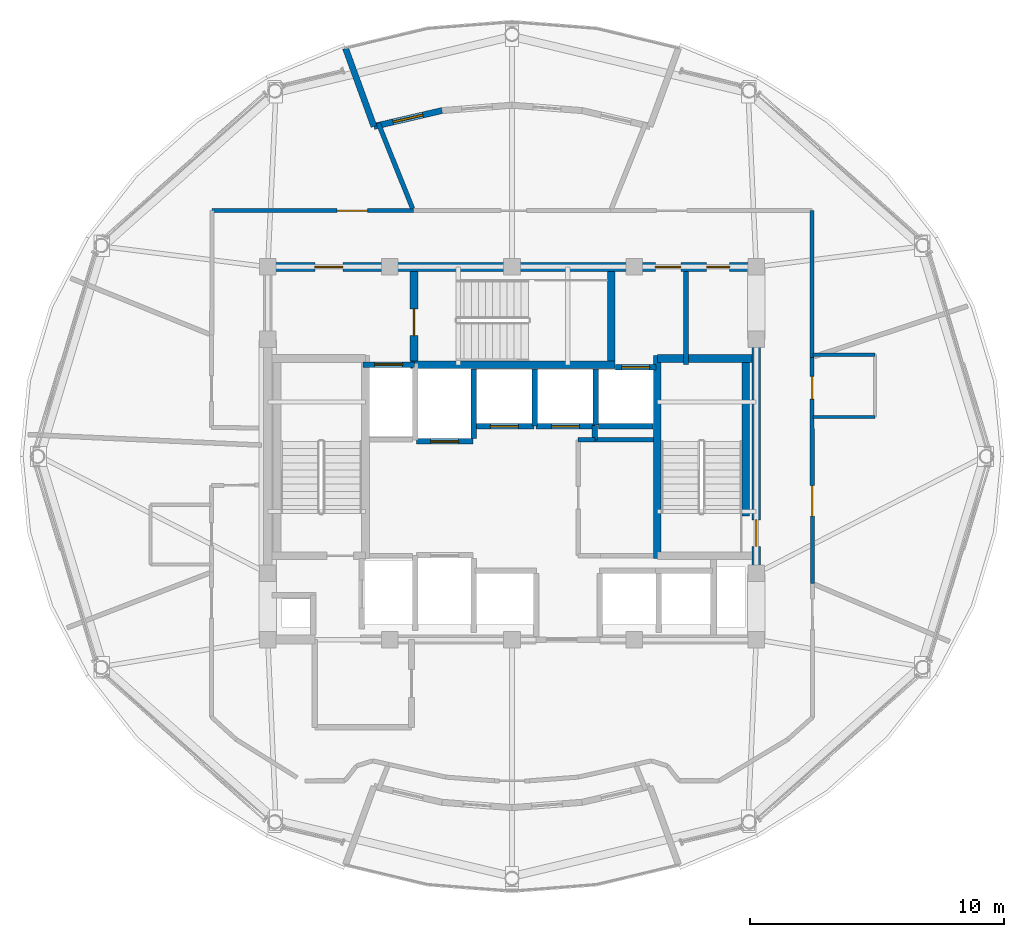
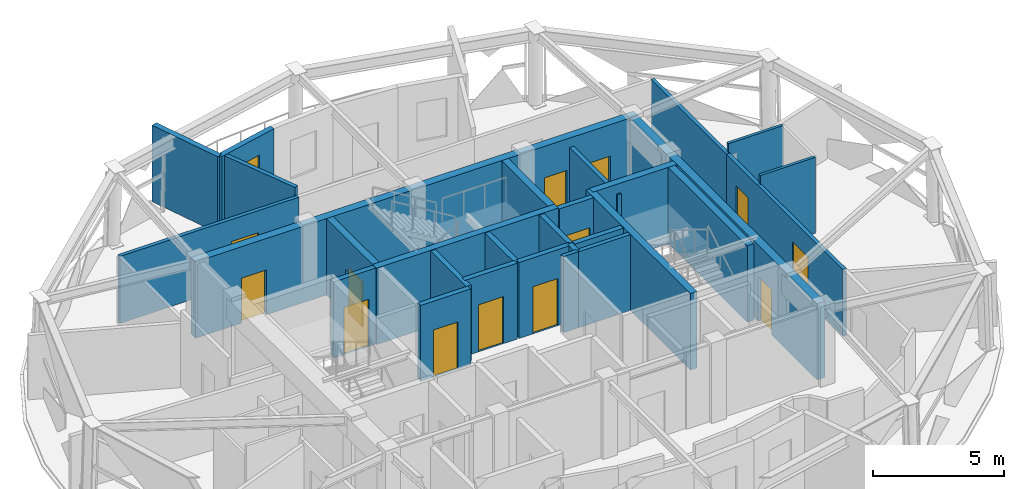
# One storey, part 8 of 13: 29 walls, 13 doors, 1 window, 14 openings.
"""IFC4 building model written with IfcOpenShell, lengths in metres."""

from ifc_helpers import new_model, si_unit, direction, frame, frame_2d, origin, place, context, subcontext, project, spatial, rectangle, extrude, material, layer, layer_set, type_object, element, fill, save


model = new_model("IFC4")

# Units and contexts
model_context = context("Model", 3, precision=1e-05, world=origin(), true_north=direction((0.0, 1.0)))
body_context = subcontext(model_context, "Body", "Model", "MODEL_VIEW")
ifc_project = project(units=[si_unit("LENGTHUNIT", "METRE"), si_unit("AREAUNIT", "SQUARE_METRE"), si_unit("VOLUMEUNIT", "CUBIC_METRE"), si_unit("PLANEANGLEUNIT", "RADIAN"), si_unit("MASSUNIT", "GRAM", prefix="KILO")], contexts=[model_context])

# Site, building, storey
site_placement = place(None, origin())
site = spatial("IfcSite", under=ifc_project, at=site_placement, CompositionType="ELEMENT")
building_placement = place(site_placement, origin())
building = spatial("IfcBuilding", under=site, at=building_placement, Name="Vantalir Tower", CompositionType="ELEMENT")
storey_placement = place(building_placement, frame((0.0, 0.0, 286.35009765625)))
storey = spatial("IfcBuildingStorey", under=building, at=storey_placement, Name="L72", CompositionType="ELEMENT", Elevation=286.35009765625)

# Walls
ifc_material_1 = material(Name="Moisture-resistant en-suite partition", Category="gypsum")
ifc_layer_1 = layer(ifc_material_1, 0.125)
ifc_layer_set_1 = layer_set([ifc_layer_1], Name="Moisture-resistant en-suite partition")
wall_type_1 = type_object("IfcWallType", Name="WL-BATH-125", PredefinedType="PARTITIONING", material=ifc_layer_set_1)
for number, where, z_axis, x_axis, name in (
    (1, (43.3349609375, 26.550048828125, 0.0), (0.0, 0.0, 1.0), (1.0, 0.0, 0.0), "L72 Accessible WC South Wall"),
    (2, (43.3349609375, 29.0, 0.0), (0.0, 0.0, 1.0), (1.0, 0.0, 0.0), "L72 Accessible WC North Wall"),
):
    element("IfcWall", number, at=place(storey_placement, frame(where, z_axis=z_axis, x_axis=x_axis)), inside=storey, type_object=wall_type_1, Name=name, PredefinedType="PARTITIONING", context=body_context, shape_type="SweptSolid", body=[
        extrude(rectangle(XDim=2.429931640625, YDim=0.125, at=frame_2d((1.21484375, 0.0))), origin(), (0.0, 0.0, 1.0), 3.5498046875),
    ])

# Wall, openings, doors
ifc_material_2 = material(Name="Concrete C50/60", Category="concrete")
ifc_layer_2 = layer(ifc_material_2, 0.35009765625)
ifc_layer_set_2 = layer_set([ifc_layer_2], Name="Concrete C50/60")
wall_type_2 = type_object("IfcWallType", Name="WL-CORE-350", PredefinedType="SHEAR", material=ifc_layer_set_2)
wall_1_placement = place(storey_placement, frame((21.72509765625, 32.449951171875, 0.0), z_axis=(0.0, 0.0, 1.0), x_axis=(1.0, 0.0, 0.0)))
wall_1 = element("IfcWall", 3, at=wall_1_placement, inside=storey, type_object=wall_type_2, Name="L72 Core Shear Wall North", PredefinedType="SHEAR", context=body_context, shape_type="SweptSolid", body=[
    extrude(rectangle(XDim=19.5498046875, YDim=0.35009765625, at=frame_2d((9.77490234375, 0.0))), origin(), (0.0, 0.0, 1.0), 3.56982421875),
])
opening_1_placement = place(wall_1_placement, frame((2.02490234375, 0.0, 0.0)))
opening_1 = element("IfcOpeningElement", 4, at=opening_1_placement, cuts=wall_1, Name="Opening D-FFL", PredefinedType="OPENING", context=body_context, shape_type="SweptSolid", body=[
    extrude(rectangle(XDim=1.10009765625, YDim=2.10009765625, at=frame_2d((0.550048828125, 1.050048828125))), frame((0.0, 0.18505859375, 0.0), z_axis=(0.0, -1.0, 0.0), x_axis=(1.0, 0.0, 0.0)), (0.0, 0.0, 1.0), 0.3701171875),
])
opening_2_placement = place(wall_1_placement, frame((15.4150390625, 0.0, 0.0)))
opening_2 = element("IfcOpeningElement", 5, at=opening_2_placement, cuts=wall_1, Name="Opening D-GUEST", PredefinedType="OPENING", context=body_context, shape_type="SweptSolid", body=[
    extrude(rectangle(XDim=1.0, YDim=2.10009765625, at=frame_2d((0.5, 1.050048828125))), frame((0.0, 0.18505859375, 0.0), z_axis=(0.0, -1.0, 0.0), x_axis=(1.0, 0.0, 0.0)), (0.0, 0.0, 1.0), 0.3701171875),
])
opening_3_placement = place(wall_1_placement, frame((17.425048828125, 0.0, 0.0)))
opening_3 = element("IfcOpeningElement", 6, at=opening_3_placement, cuts=wall_1, Name="Opening D-CR", PredefinedType="OPENING", context=body_context, shape_type="SweptSolid", body=[
    extrude(rectangle(XDim=0.89990234375, YDim=2.10009765625, at=frame_2d((0.449951171875, 1.050048828125))), frame((0.0, 0.18505859375, 0.0), z_axis=(0.0, -1.0, 0.0), x_axis=(1.0, 0.0, 0.0)), (0.0, 0.0, 1.0), 0.3701171875),
])
ifc_material_3 = material(Name="Fire-rated steel core service door", Category="steel")
door_type_1 = type_object("IfcDoorType", Name="DR-CORE-SERV-900", OperationType="NOTDEFINED", PredefinedType="DOOR", material=ifc_material_3)
door_1_placement = place(opening_3_placement, frame((0.89990234375, 0.0, 0.0), z_axis=(0.0, 0.0, 1.0), x_axis=(-1.0, 0.0, 0.0)))
door_1 = element("IfcDoor", 7, at=door_1_placement, inside=storey, type_object=door_type_1, Name="L72 Housekeeping and Linen Room Door", OperationType="SINGLE_SWING_RIGHT", OverallHeight=2.10009765625, OverallWidth=0.89990234375, PredefinedType="DOOR", context=body_context, shape_type="SweptSolid", body=[
    extrude(rectangle(XDim=0.89990234375, YDim=2.10009765625, at=frame_2d((0.449951171875, 1.050048828125))), frame((0.0, 0.02490234375, 0.0), z_axis=(0.0, -1.0, 0.0), x_axis=(1.0, 0.0, 0.0)), (0.0, 0.0, 1.0), 0.050048828125),
])
fill(opening_3, door_1)
ifc_material_4 = material(Name="Fire-rated acoustic steel door", Category="steel")
door_type_2 = type_object("IfcDoorType", Name="DR-FIRE-LOBBY-1100", OperationType="NOTDEFINED", PredefinedType="DOOR", material=ifc_material_4)
door_2_placement = place(opening_1_placement, frame((1.10009765625, 0.0, 0.0), z_axis=(0.0, 0.0, 1.0), x_axis=(-1.0, 0.0, 0.0)))
door_2 = element("IfcDoor", 8, at=door_2_placement, inside=storey, type_object=door_type_2, Name="L72 Firefighting Lobby East Access Door", OperationType="SINGLE_SWING_RIGHT", OverallHeight=2.10009765625, OverallWidth=1.10009765625, PredefinedType="DOOR", context=body_context, shape_type="SweptSolid", body=[
    extrude(rectangle(XDim=1.10009765625, YDim=2.10009765625, at=frame_2d((0.550048828125, 1.050048828125))), frame((0.0, 0.02490234375, 0.0), z_axis=(0.0, -1.0, 0.0), x_axis=(1.0, 0.0, 0.0)), (0.0, 0.0, 1.0), 0.050048828125),
])
fill(opening_1, door_2)
ifc_material_5 = material(Name="Solid-core teak veneer acoustic fire door", Category="wood")
door_type_3 = type_object("IfcDoorType", Name="DR-GUEST-ENTRY-1000", OperationType="NOTDEFINED", PredefinedType="DOOR", material=ifc_material_5)
door_3_placement = place(opening_2_placement, frame((1.0, 0.0, 0.0), z_axis=(0.0, 0.0, 1.0), x_axis=(-1.0, 0.0, 0.0)))
door_3 = element("IfcDoor", 9, at=door_3_placement, inside=storey, type_object=door_type_3, Name="L72 High-Rise Lift Lobby Door", OperationType="SINGLE_SWING_LEFT", OverallHeight=2.10009765625, OverallWidth=1.0, PredefinedType="DOOR", context=body_context, shape_type="SweptSolid", body=[
    extrude(rectangle(XDim=1.0, YDim=2.10009765625, at=frame_2d((0.5, 1.050048828125))), frame((0.0, 0.02490234375, 0.0), z_axis=(0.0, -1.0, 0.0), x_axis=(1.0, 0.0, 0.0)), (0.0, 0.0, 1.0), 0.050048828125),
])
fill(opening_2, door_3)

# Wall, opening, door
wall_2_placement = place(storey_placement, frame((41.10009765625, 17.97509765625, 0.0), z_axis=(0.0, 0.0, 1.0), x_axis=(0.0, 1.0, 0.0)))
wall_2 = element("IfcWall", 10, at=wall_2_placement, inside=storey, type_object=wall_type_2, Name="L72 Core Shear Wall East", PredefinedType="SHEAR", context=body_context, shape_type="SweptSolid", body=[
    extrude(rectangle(XDim=14.2998046875, YDim=0.35009765625, at=frame_2d((7.14990234375, 0.0))), origin(), (0.0, 0.0, 1.0), 3.56982421875),
])
opening_4_placement = place(wall_2_placement, frame((3.485107421875, 0.0, 0.0)))
opening_4 = element("IfcOpeningElement", 11, at=opening_4_placement, cuts=wall_2, Name="Opening D-ST", PredefinedType="OPENING", context=body_context, shape_type="SweptSolid", body=[
    extrude(rectangle(XDim=1.050048828125, YDim=2.10009765625, at=frame_2d((0.52490234375, 1.050048828125))), frame((0.0, 0.18505859375, 0.0), z_axis=(0.0, -1.0, 0.0), x_axis=(1.0, 0.0, 0.0)), (0.0, 0.0, 1.0), 0.3701171875),
])
ifc_material_6 = material(Name="Fire-rated steel door leaf", Category="steel")
door_type_4 = type_object("IfcDoorType", Name="DR-FIRE-STAIR-1050", OperationType="NOTDEFINED", PredefinedType="DOOR", material=ifc_material_6)
door_4_placement = place(opening_4_placement, origin())
door_4 = element("IfcDoor", 12, at=door_4_placement, inside=storey, type_object=door_type_4, Name="L72 Exit Stair ST2 Fire Door", OperationType="SINGLE_SWING_LEFT", OverallHeight=2.10009765625, OverallWidth=1.050048828125, PredefinedType="DOOR", context=body_context, shape_type="SweptSolid", body=[
    extrude(rectangle(XDim=1.050048828125, YDim=2.10009765625, at=frame_2d((0.52490234375, 1.050048828125))), frame((0.0, 0.02490234375, 0.0), z_axis=(0.0, -1.0, 0.0), x_axis=(1.0, 0.0, 0.0)), (0.0, 0.0, 1.0), 0.050048828125),
])
fill(opening_4, door_4)

ifc_material_7 = material(Name="Fire-rated hotel corridor acoustic partition", Category="gypsum")
ifc_layer_3 = layer(ifc_material_7, 0.159912109375)
ifc_layer_set_3 = layer_set([ifc_layer_3], Name="Fire-rated hotel corridor acoustic partition")
wall_type_3 = type_object("IfcWallType", Name="WL-CORR-160", PredefinedType="PARTITIONING", material=ifc_layer_set_3)
wall_3_placement = place(storey_placement, frame((19.7099609375, 34.662109375, 0.0), z_axis=(0.0, 0.0, 1.0), x_axis=(0.999999988104, -0.000154244816, 0.0)))
wall_3 = element("IfcWall", 13, at=wall_3_placement, inside=storey, type_object=wall_type_3, Name="L72 Corridor Partition 04", PredefinedType="PARTITIONING", context=body_context, shape_type="SweptSolid", body=[
    extrude(rectangle(XDim=7.9140625, YDim=0.159912109375, at=frame_2d((3.95703125, 0.0))), origin(), (0.0, 0.0, 1.0), 3.1318359375),
])
opening_5_placement = place(wall_3_placement, frame((4.91796875, 0.0, 0.0)))
opening_5 = element("IfcOpeningElement", 14, at=opening_5_placement, cuts=wall_3, Name="Opening D-STE", PredefinedType="OPENING", context=body_context, shape_type="SweptSolid", body=[
    extrude(rectangle(XDim=1.199951171875, YDim=2.10009765625, at=frame_2d((0.60009765625, 1.050048828125))), frame((0.0, 0.08984375, 0.0), z_axis=(0.0, -1.0, 0.0), x_axis=(1.0, 0.0, 0.0)), (0.0, 0.0, 1.0), 0.179931640625),
])
ifc_material_8 = material(Name="Solid-core teak veneer suite entrance door", Category="wood")
door_type_5 = type_object("IfcDoorType", Name="DR-SUITE-ENTRY-1200", OperationType="NOTDEFINED", PredefinedType="DOOR", material=ifc_material_8)
door_5_placement = place(opening_5_placement, origin())
door_5 = element("IfcDoor", 15, at=door_5_placement, inside=storey, type_object=door_type_5, Name="L72 Club Reading Lounge 03 Door", OperationType="SINGLE_SWING_RIGHT", OverallHeight=2.10009765625, OverallWidth=1.199951171875, PredefinedType="DOOR", context=body_context, shape_type="SweptSolid", body=[
    extrude(rectangle(XDim=1.199951171875, YDim=2.10009765625, at=frame_2d((0.60009765625, 1.050048828125))), frame((0.0, 0.02490234375, 0.0), z_axis=(0.0, -1.0, 0.0), x_axis=(1.0, 0.0, 0.0)), (0.0, 0.0, 1.0), 0.050048828125),
])
fill(opening_5, door_5)

# Wall
wall_4_placement = place(storey_placement, frame((43.2939453125, 34.659912109375, 0.0), z_axis=(0.0, 0.0, 1.0), x_axis=(0.000889641673, -0.999999604269, 0.0)))
element("IfcWall", 16, at=wall_4_placement, inside=storey, type_object=wall_type_3, Name="L72 Corridor Partition 07", PredefinedType="PARTITIONING", context=body_context, shape_type="SweptSolid", body=[
    extrude(rectangle(XDim=5.762939453125, YDim=0.159912109375, at=frame_2d((2.88134765625, 0.0))), origin(), (0.0, 0.0, 1.0), 3.1318359375),
])

# Wall, openings, doors
wall_5_placement = place(storey_placement, frame((43.299072265625, 28.89697265625, 0.0), z_axis=(0.0, 0.0, 1.0), x_axis=(0.000768765903, -0.999999704499, 0.0)))
wall_5 = element("IfcWall", 17, at=wall_5_placement, inside=storey, type_object=wall_type_3, Name="L72 Corridor Partition 08", PredefinedType="PARTITIONING", context=body_context, shape_type="SweptSolid", body=[
    extrude(rectangle(XDim=8.89208984375, YDim=0.159912109375, at=frame_2d((4.446044921875, 0.0))), origin(), (0.0, 0.0, 1.0), 3.1318359375),
])
opening_6_placement = place(wall_5_placement, frame((0.7451171875, 0.0, 0.0)))
opening_6 = element("IfcOpeningElement", 18, at=opening_6_placement, cuts=wall_5, Name="Opening D-WC", PredefinedType="OPENING", context=body_context, shape_type="SweptSolid", body=[
    extrude(rectangle(XDim=0.89990234375, YDim=2.10009765625, at=frame_2d((0.449951171875, 1.050048828125))), frame((0.0, 0.08984375, 0.0), z_axis=(0.0, -1.0, 0.0), x_axis=(1.0, 0.0, 0.0)), (0.0, 0.0, 1.0), 0.179931640625),
])
opening_7_placement = place(wall_5_placement, frame((5.048095703125, 0.0, 0.0)))
opening_7 = element("IfcOpeningElement", 19, at=opening_7_placement, cuts=wall_5, Name="Opening D-STE", PredefinedType="OPENING", context=body_context, shape_type="SweptSolid", body=[
    extrude(rectangle(XDim=1.199951171875, YDim=2.10009765625, at=frame_2d((0.60009765625, 1.050048828125))), frame((0.0, 0.08984375, 0.0), z_axis=(0.0, -1.0, 0.0), x_axis=(1.0, 0.0, 0.0)), (0.0, 0.0, 1.0), 0.179931640625),
])
ifc_material_9 = material(Name="Moisture-resistant hardwood door", Category="wood")
door_type_6 = type_object("IfcDoorType", Name="DR-ENSUITE-900", OperationType="NOTDEFINED", PredefinedType="DOOR", material=ifc_material_9)
door_6_placement = place(opening_6_placement, frame((0.89990234375, 0.0, 0.0), z_axis=(0.0, 0.0, 1.0), x_axis=(-1.0, 0.0, 0.0)))
door_6 = element("IfcDoor", 20, at=door_6_placement, inside=storey, type_object=door_type_6, Name="L72 Accessible WC Door", OperationType="SINGLE_SWING_RIGHT", OverallHeight=2.10009765625, OverallWidth=0.89990234375, PredefinedType="DOOR", context=body_context, shape_type="SweptSolid", body=[
    extrude(rectangle(XDim=0.89990234375, YDim=2.10009765625, at=frame_2d((0.449951171875, 1.050048828125))), frame((0.0, 0.02490234375, 0.0), z_axis=(0.0, -1.0, 0.0), x_axis=(1.0, 0.0, 0.0)), (0.0, 0.0, 1.0), 0.050048828125),
])
fill(opening_6, door_6)
door_7_placement = place(opening_7_placement, origin())
door_7 = element("IfcDoor", 21, at=door_7_placement, inside=storey, type_object=door_type_5, Name="L72 Club Reading Lounge 09 Door", OperationType="SINGLE_SWING_RIGHT", OverallHeight=2.10009765625, OverallWidth=1.199951171875, PredefinedType="DOOR", context=body_context, shape_type="SweptSolid", body=[
    extrude(rectangle(XDim=1.199951171875, YDim=2.10009765625, at=frame_2d((0.60009765625, 1.050048828125))), frame((0.0, 0.02490234375, 0.0), z_axis=(0.0, -1.0, 0.0), x_axis=(1.0, 0.0, 0.0)), (0.0, 0.0, 1.0), 0.050048828125),
])
fill(opening_7, door_7)

# Wall
ifc_material_10 = material(Name="Precast concrete C40/50 insulated sky-garden wall", Category="concrete")
ifc_layer_4 = layer(ifc_material_10, 0.239990234375)
ifc_layer_set_4 = layer_set([ifc_layer_4], Name="Precast concrete C40/50 insulated sky-garden wall")
wall_type_4 = type_object("IfcWallType", Name="WL-EXT-SG-240", PredefinedType="SOLIDWALL", material=ifc_layer_set_4)
wall_6_placement = place(storey_placement, frame((26.073974609375, 37.972900390625, 0.0), z_axis=(0.0, 0.0, 1.0), x_axis=(-0.342132643751, 0.939651666353, 0.0)))
element("IfcWall", 22, at=wall_6_placement, inside=storey, type_object=wall_type_4, Name="L72 Wind Portal Return NB", PredefinedType="SOLIDWALL", context=body_context, shape_type="SweptSolid", body=[
    extrude(rectangle(XDim=3.270263671875, YDim=0.239990234375, at=frame_2d((1.63525390625, 0.0))), origin(), (0.0, 0.0, 1.0), 3.56982421875),
])

# Wall, opening, window
wall_7_placement = place(storey_placement, frame((28.7451171875, 38.595947265625, 0.0), z_axis=(0.0, 0.0, 1.0), x_axis=(-0.973858933753, -0.227153642166, 0.0)))
wall_7 = element("IfcWall", 23, at=wall_7_placement, inside=storey, type_object=wall_type_4, Name="L72 Wind Portal Lounge Wall N4", PredefinedType="SOLIDWALL", context=body_context, shape_type="SweptSolid", body=[
    extrude(rectangle(XDim=2.742919921875, YDim=0.239990234375, at=frame_2d((1.37158203125, 0.0))), origin(), (0.0, 0.0, 1.0), 3.56982421875),
])
opening_8_placement = place(wall_7_placement, frame((0.77099609375, 0.0, 0.89990234375)))
opening_8 = element("IfcOpeningElement", 24, at=opening_8_placement, cuts=wall_7, Name="Opening WN-4", PredefinedType="OPENING", context=body_context, shape_type="SweptSolid", body=[
    extrude(rectangle(XDim=1.199951171875, YDim=1.800048828125, at=frame_2d((0.60009765625, 0.89990234375))), frame((0.0, 0.1298828125, 0.0), z_axis=(0.0, -1.0, 0.0), x_axis=(1.0, 0.0, 0.0)), (0.0, 0.0, 1.0), 0.260009765625),
])
ifc_material_11 = material(Name="Operable smoke-vent Low-E window", Category="glass")
window_type = type_object("IfcWindowType", Name="WIN-SG-1200x1800", PartitioningType="SINGLE_PANEL", PredefinedType="WINDOW", material=ifc_material_11)
window_placement = place(opening_8_placement, origin())
window = element("IfcWindow", 25, at=window_placement, inside=storey, type_object=window_type, Name="L72 Wind Portal Viewing Window N4", OverallHeight=1.800048828125, OverallWidth=1.199951171875, PartitioningType="SINGLE_PANEL", PredefinedType="WINDOW", context=body_context, shape_type="SweptSolid", body=[
    extrude(rectangle(XDim=1.199951171875, YDim=1.800048828125, at=frame_2d((0.60009765625, 0.89990234375))), frame((0.0, 0.030029296875, 0.0), z_axis=(0.0, -1.0, 0.0), x_axis=(1.0, 0.0, 0.0)), (0.0, 0.0, 1.0), 0.06005859375),
])
fill(opening_8, window)

# Walls
ifc_material_12 = material(Name="Concrete blockwork with fireboard lining", Category="masonry")
ifc_layer_5 = layer(ifc_material_12, 0.219970703125)
ifc_layer_set_5 = layer_set([ifc_layer_5], Name="Concrete blockwork with fireboard lining")
wall_type_5 = type_object("IfcWallType", Name="WL-FFL-220", PredefinedType="PARTITIONING", material=ifc_layer_set_5)
wall_8_placement = place(storey_placement, frame((30.0, 25.7099609375, 0.0), z_axis=(0.0, 0.0, 1.0), x_axis=(0.0, 1.0, 0.0)))
element("IfcWall", 26, at=wall_8_placement, inside=storey, type_object=wall_type_5, Name="L72 Service Lift SV2 East Shaft Wall", PredefinedType="PARTITIONING", context=body_context, shape_type="SweptSolid", body=[
    extrude(rectangle(XDim=2.72998046875, YDim=0.219970703125, at=frame_2d((1.364990234375, 0.0))), origin(), (0.0, 0.0, 1.0), 3.544921875),
])
wall_9_placement = place(storey_placement, frame((32.39990234375, 26.199951171875, 0.0), z_axis=(0.0, 0.0, 1.0), x_axis=(0.0, 1.0, 0.0)))
element("IfcWall", 27, at=wall_9_placement, inside=storey, type_object=wall_type_5, Name="L72 High-Rise Lift PL-H1/H2 Shaft Divider", PredefinedType="PARTITIONING", context=body_context, shape_type="SweptSolid", body=[
    extrude(rectangle(XDim=2.239990234375, YDim=0.219970703125, at=frame_2d((1.1201171875, 0.0))), origin(), (0.0, 0.0, 1.0), 3.544921875),
])
wall_10_placement = place(storey_placement, frame((34.800048828125, 26.22998046875, 0.0), z_axis=(0.0, 0.0, 1.0), x_axis=(0.0, 1.0, 0.0)))
element("IfcWall", 28, at=wall_10_placement, inside=storey, type_object=wall_type_5, Name="L72 High-Rise Lift PL-H2/H3 Shaft Divider", PredefinedType="PARTITIONING", context=body_context, shape_type="SweptSolid", body=[
    extrude(rectangle(XDim=2.2099609375, YDim=0.219970703125, at=frame_2d((1.10498046875, 0.0))), origin(), (0.0, 0.0, 1.0), 3.544921875),
])
wall_11_placement = place(storey_placement, frame((34.909912109375, 26.18994140625, 0.0), z_axis=(0.0, 0.0, 1.0), x_axis=(1.0, 0.0, 0.0)))
element("IfcWall", 29, at=wall_11_placement, inside=storey, type_object=wall_type_5, Name="L72 High-Rise Lift PL-H3 Rear Shaft Wall", PredefinedType="PARTITIONING", context=body_context, shape_type="SweptSolid", body=[
    extrude(rectangle(XDim=2.14013671875, YDim=0.219970703125, at=frame_2d((1.070068359375, 0.0))), origin(), (0.0, 0.0, 1.0), 3.544921875),
])

# Wall, opening, door
wall_12_placement = place(storey_placement, frame((25.639892578125, 28.610107421875, 0.0), z_axis=(0.0, 0.0, 1.0), x_axis=(1.0, 0.0, 0.0)))
wall_12 = element("IfcWall", 30, at=wall_12_placement, inside=storey, type_object=wall_type_5, Name="L72 Lift FL2 Shaft Front Wall", PredefinedType="PARTITIONING", context=body_context, shape_type="SweptSolid", body=[
    extrude(rectangle(XDim=2.02001953125, YDim=0.219970703125, at=frame_2d((1.010009765625, 0.0))), origin(), (0.0, 0.0, 1.0), 3.5498046875),
])
opening_9_placement = place(wall_12_placement, frame((0.4599609375, 0.0, 0.0)))
opening_9 = element("IfcOpeningElement", 31, at=opening_9_placement, cuts=wall_12, Name="Opening LD-FL2", PredefinedType="OPENING", context=body_context, shape_type="SweptSolid", body=[
    extrude(rectangle(XDim=1.10009765625, YDim=2.199951171875, at=frame_2d((0.550048828125, 1.10009765625))), frame((0.0, 0.119873046875, 0.0), z_axis=(0.0, -1.0, 0.0), x_axis=(1.0, 0.0, 0.0)), (0.0, 0.0, 1.0), 0.239990234375),
])
ifc_material_13 = material(Name="Brushed stainless-steel sliding lift landing door", Category="steel")
door_type_7 = type_object("IfcDoorType", Name="DR-LIFT-LANDING-1100", OperationType="DOUBLE_DOOR_SLIDING", PredefinedType="DOOR", material=ifc_material_13)
door_8_placement = place(opening_9_placement, origin())
door_8 = element("IfcDoor", 32, at=door_8_placement, inside=storey, type_object=door_type_7, Name="L72 Lift Landing Door FL2", OperationType="DOUBLE_DOOR_SLIDING", OverallHeight=2.199951171875, OverallWidth=1.10009765625, PredefinedType="DOOR", context=body_context, shape_type="SweptSolid", body=[
    extrude(rectangle(XDim=1.10009765625, YDim=2.199951171875, at=frame_2d((0.550048828125, 1.10009765625))), frame((0.0, 0.02490234375, 0.0), z_axis=(0.0, -1.0, 0.0), x_axis=(1.0, 0.0, 0.0)), (0.0, 0.0, 1.0), 0.050048828125),
])
fill(opening_9, door_8)

wall_13_placement = place(storey_placement, frame((27.739990234375, 25.590087890625, 0.0), z_axis=(0.0, 0.0, 1.0), x_axis=(1.0, 0.0, 0.0)))
wall_13 = element("IfcWall", 33, at=wall_13_placement, inside=storey, type_object=wall_type_5, Name="L72 Lift SV2 Shaft Front Wall", PredefinedType="PARTITIONING", context=body_context, shape_type="SweptSolid", body=[
    extrude(rectangle(XDim=2.219970703125, YDim=0.219970703125, at=frame_2d((1.10986328125, 0.0))), origin(), (0.0, 0.0, 1.0), 3.5498046875),
])
opening_10_placement = place(wall_13_placement, frame((0.56005859375, 0.0, 0.0)))
opening_10 = element("IfcOpeningElement", 34, at=opening_10_placement, cuts=wall_13, Name="Opening LD-SV2", PredefinedType="OPENING", context=body_context, shape_type="SweptSolid", body=[
    extrude(rectangle(XDim=1.10009765625, YDim=2.199951171875, at=frame_2d((0.550048828125, 1.10009765625))), frame((0.0, 0.119873046875, 0.0), z_axis=(0.0, -1.0, 0.0), x_axis=(1.0, 0.0, 0.0)), (0.0, 0.0, 1.0), 0.239990234375),
])
door_9_placement = place(opening_10_placement, frame((1.10009765625, 0.0, 0.0), z_axis=(0.0, 0.0, 1.0), x_axis=(-1.0, 0.0, 0.0)))
door_9 = element("IfcDoor", 35, at=door_9_placement, inside=storey, type_object=door_type_7, Name="L72 Lift Landing Door SV2", OperationType="DOUBLE_DOOR_SLIDING", OverallHeight=2.199951171875, OverallWidth=1.10009765625, PredefinedType="DOOR", context=body_context, shape_type="SweptSolid", body=[
    extrude(rectangle(XDim=1.10009765625, YDim=2.199951171875, at=frame_2d((0.550048828125, 1.10009765625))), frame((0.0, 0.02490234375, 0.0), z_axis=(0.0, -1.0, 0.0), x_axis=(1.0, 0.0, 0.0)), (0.0, 0.0, 1.0), 0.050048828125),
])
fill(opening_10, door_9)

wall_14_placement = place(storey_placement, frame((30.0400390625, 26.18994140625, 0.0), z_axis=(0.0, 0.0, 1.0), x_axis=(1.0, 0.0, 0.0)))
wall_14 = element("IfcWall", 36, at=wall_14_placement, inside=storey, type_object=wall_type_5, Name="L72 Lift PL-H1 Shaft Front Wall", PredefinedType="PARTITIONING", context=body_context, shape_type="SweptSolid", body=[
    extrude(rectangle(XDim=2.320068359375, YDim=0.219970703125, at=frame_2d((1.16015625, 0.0))), origin(), (0.0, 0.0, 1.0), 3.5498046875),
])
opening_11_placement = place(wall_14_placement, frame((0.610107421875, 0.0, 0.0)))
opening_11 = element("IfcOpeningElement", 37, at=opening_11_placement, cuts=wall_14, Name="Opening LD-PL-H1", PredefinedType="OPENING", context=body_context, shape_type="SweptSolid", body=[
    extrude(rectangle(XDim=1.10009765625, YDim=2.199951171875, at=frame_2d((0.550048828125, 1.10009765625))), frame((0.0, 0.119873046875, 0.0), z_axis=(0.0, -1.0, 0.0), x_axis=(1.0, 0.0, 0.0)), (0.0, 0.0, 1.0), 0.239990234375),
])
door_10_placement = place(opening_11_placement, frame((1.10009765625, 0.0, 0.0), z_axis=(0.0, 0.0, 1.0), x_axis=(-1.0, 0.0, 0.0)))
door_10 = element("IfcDoor", 38, at=door_10_placement, inside=storey, type_object=door_type_7, Name="L72 Lift Landing Door PL-H1", OperationType="DOUBLE_DOOR_SLIDING", OverallHeight=2.199951171875, OverallWidth=1.10009765625, PredefinedType="DOOR", context=body_context, shape_type="SweptSolid", body=[
    extrude(rectangle(XDim=1.10009765625, YDim=2.199951171875, at=frame_2d((0.550048828125, 1.10009765625))), frame((0.0, 0.02490234375, 0.0), z_axis=(0.0, -1.0, 0.0), x_axis=(1.0, 0.0, 0.0)), (0.0, 0.0, 1.0), 0.050048828125),
])
fill(opening_11, door_10)

wall_15_placement = place(storey_placement, frame((32.43994140625, 26.18994140625, 0.0), z_axis=(0.0, 0.0, 1.0), x_axis=(1.0, 0.0, 0.0)))
wall_15 = element("IfcWall", 39, at=wall_15_placement, inside=storey, type_object=wall_type_5, Name="L72 Lift PL-H2 Shaft Front Wall", PredefinedType="PARTITIONING", context=body_context, shape_type="SweptSolid", body=[
    extrude(rectangle(XDim=2.320068359375, YDim=0.219970703125, at=frame_2d((1.16015625, 0.0))), origin(), (0.0, 0.0, 1.0), 3.5498046875),
])
opening_12_placement = place(wall_15_placement, frame((0.610107421875, 0.0, 0.0)))
opening_12 = element("IfcOpeningElement", 40, at=opening_12_placement, cuts=wall_15, Name="Opening LD-PL-H2", PredefinedType="OPENING", context=body_context, shape_type="SweptSolid", body=[
    extrude(rectangle(XDim=1.10009765625, YDim=2.199951171875, at=frame_2d((0.550048828125, 1.10009765625))), frame((0.0, 0.119873046875, 0.0), z_axis=(0.0, -1.0, 0.0), x_axis=(1.0, 0.0, 0.0)), (0.0, 0.0, 1.0), 0.239990234375),
])
door_11_placement = place(opening_12_placement, frame((1.10009765625, 0.0, 0.0), z_axis=(0.0, 0.0, 1.0), x_axis=(-1.0, 0.0, 0.0)))
door_11 = element("IfcDoor", 41, at=door_11_placement, inside=storey, type_object=door_type_7, Name="L72 Lift Landing Door PL-H2", OperationType="DOUBLE_DOOR_SLIDING", OverallHeight=2.199951171875, OverallWidth=1.10009765625, PredefinedType="DOOR", context=body_context, shape_type="SweptSolid", body=[
    extrude(rectangle(XDim=1.10009765625, YDim=2.199951171875, at=frame_2d((0.550048828125, 1.10009765625))), frame((0.0, 0.02490234375, 0.0), z_axis=(0.0, -1.0, 0.0), x_axis=(1.0, 0.0, 0.0)), (0.0, 0.0, 1.0), 0.050048828125),
])
fill(opening_12, door_11)

wall_16_placement = place(storey_placement, frame((35.56005859375, 28.510009765625, 0.0), z_axis=(0.0, 0.0, 1.0), x_axis=(1.0, 0.0, 0.0)))
wall_16 = element("IfcWall", 42, at=wall_16_placement, inside=storey, type_object=wall_type_5, Name="L72 Lift PL-H3 Shaft Front Wall", PredefinedType="PARTITIONING", context=body_context, shape_type="SweptSolid", body=[
    extrude(rectangle(XDim=1.599853515625, YDim=0.219970703125, at=frame_2d((0.7998046875, 0.0))), origin(), (0.0, 0.0, 1.0), 3.5498046875),
])
opening_13_placement = place(wall_16_placement, frame((0.25, 0.0, 0.0)))
opening_13 = element("IfcOpeningElement", 43, at=opening_13_placement, cuts=wall_16, Name="Opening LD-PL-H3", PredefinedType="OPENING", context=body_context, shape_type="SweptSolid", body=[
    extrude(rectangle(XDim=1.10009765625, YDim=2.199951171875, at=frame_2d((0.550048828125, 1.10009765625))), frame((0.0, 0.119873046875, 0.0), z_axis=(0.0, -1.0, 0.0), x_axis=(1.0, 0.0, 0.0)), (0.0, 0.0, 1.0), 0.239990234375),
])
door_12_placement = place(opening_13_placement, origin())
door_12 = element("IfcDoor", 44, at=door_12_placement, inside=storey, type_object=door_type_7, Name="L72 Lift Landing Door PL-H3", OperationType="DOUBLE_DOOR_SLIDING", OverallHeight=2.199951171875, OverallWidth=1.10009765625, PredefinedType="DOOR", context=body_context, shape_type="SweptSolid", body=[
    extrude(rectangle(XDim=1.10009765625, YDim=2.199951171875, at=frame_2d((0.550048828125, 1.10009765625))), frame((0.0, 0.02490234375, 0.0), z_axis=(0.0, -1.0, 0.0), x_axis=(1.0, 0.0, 0.0)), (0.0, 0.0, 1.0), 0.050048828125),
])
fill(opening_13, door_12)

# Walls
wall_17_placement = place(storey_placement, frame((34.760009765625, 25.64990234375, 0.0), z_axis=(0.0, 0.0, 1.0), x_axis=(0.0, 1.0, 0.0)))
element("IfcWall", 45, at=wall_17_placement, inside=storey, type_object=wall_type_5, Name="L72 High-Rise Shaft Shoulder Wall", PredefinedType="PARTITIONING", context=body_context, shape_type="SweptSolid", body=[
    extrude(rectangle(XDim=0.570068359375, YDim=0.219970703125, at=frame_2d((0.28515625, 0.0))), origin(), (0.0, 0.0, 1.0), 3.5498046875),
])
ifc_material_14 = material(Name="Twin-stud acoustic fire-rated gypsum partition", Category="gypsum")
ifc_layer_6 = layer(ifc_material_14, 0.179931640625)
ifc_layer_set_6 = layer_set([ifc_layer_6], Name="Twin-stud acoustic fire-rated gypsum partition")
wall_type_6 = type_object("IfcWallType", Name="WL-GUEST-180", PredefinedType="PARTITIONING", material=ifc_layer_set_6)
wall_18_placement = place(storey_placement, frame((34.719970703125, 25.64990234375, 0.0), z_axis=(0.0, 0.0, 1.0), x_axis=(1.0, 0.0, 0.0)))
element("IfcWall", 46, at=wall_18_placement, inside=storey, type_object=wall_type_6, Name="L72 Freed East Core North Wall", PredefinedType="PARTITIONING", context=body_context, shape_type="SweptSolid", body=[
    extrude(rectangle(XDim=2.340087890625, YDim=0.179931640625, at=frame_2d((1.169921875, 0.0))), origin(), (0.0, 0.0, 1.0), 3.5498046875),
])
wall_19_placement = place(storey_placement, frame((34.10009765625, 25.64990234375, 0.0), z_axis=(0.0, 0.0, 1.0), x_axis=(1.0, 0.0, 0.0)))
element("IfcWall", 47, at=wall_19_placement, inside=storey, type_object=wall_type_6, Name="L72 East Core Room North Return", PredefinedType="PARTITIONING", context=body_context, shape_type="SweptSolid", body=[
    extrude(rectangle(XDim=0.659912109375, YDim=0.179931640625, at=frame_2d((0.330078125, 0.0))), origin(), (0.0, 0.0, 1.0), 3.5498046875),
])
wall_20_placement = place(storey_placement, frame((38.340087890625, 28.6201171875, 0.0), z_axis=(0.0, 0.0, 1.0), x_axis=(0.0, 1.0, 0.0)))
element("IfcWall", 48, at=wall_20_placement, inside=storey, type_object=wall_type_6, Name="L72 High-Rise Lift Lobby East Wall", PredefinedType="PARTITIONING", context=body_context, shape_type="SweptSolid", body=[
    extrude(rectangle(XDim=3.65478515625, YDim=0.179931640625, at=frame_2d((1.827392578125, 0.0))), origin(), (0.0, 0.0, 1.0), 3.1318359375),
])
wall_21_placement = place(storey_placement, frame((27.593017578125, 34.739990234375, 0.0), z_axis=(0.0, 0.0, 1.0), x_axis=(-0.372365676236, 0.928086096847, 0.0)))
element("IfcWall", 49, at=wall_21_placement, inside=storey, type_object=wall_type_6, Name="L72 Radial Suite Partition 03", PredefinedType="PARTITIONING", context=body_context, shape_type="SweptSolid", body=[
    extrude(rectangle(XDim=3.625732421875, YDim=0.179931640625, at=frame_2d((1.81298828125, 0.0))), origin(), (0.0, 0.0, 1.0), 3.5498046875),
])
ifc_layer_7 = layer(ifc_material_2, 0.300048828125)
ifc_layer_set_7 = layer_set([ifc_layer_7], Name="Concrete C50/60")
wall_type_7 = type_object("IfcWallType", Name="WL-STAIR-300", PredefinedType="SHEAR", material=ifc_layer_set_7)
wall_22_placement = place(storey_placement, frame((37.2099609375, 28.85009765625, 0.0), z_axis=(0.0, 0.0, 1.0), x_axis=(1.0, 0.0, 0.0)))
element("IfcWall", 50, at=wall_22_placement, inside=storey, type_object=wall_type_7, Name="L72 Stair ST2 North Wall", PredefinedType="SHEAR", context=body_context, shape_type="SweptSolid", body=[
    extrude(rectangle(XDim=3.715087890625, YDim=0.300048828125, at=frame_2d((1.857421875, 0.0))), origin(), (0.0, 0.0, 1.0), 3.56982421875),
])
wall_23_placement = place(storey_placement, frame((37.2099609375, 20.97998046875, 0.0), z_axis=(0.0, 0.0, 1.0), x_axis=(0.0, 1.0, 0.0)))
element("IfcWall", 51, at=wall_23_placement, inside=storey, type_object=wall_type_7, Name="L72 Stair ST2 West Wall", PredefinedType="SHEAR", context=body_context, shape_type="SweptSolid", body=[
    extrude(rectangle(XDim=7.989990234375, YDim=0.300048828125, at=frame_2d((3.9951171875, 0.0))), origin(), (0.0, 0.0, 1.0), 3.56982421875),
])
wall_24_placement = place(storey_placement, frame((40.68994140625, 22.64990234375, 0.0), z_axis=(0.0, 0.0, 1.0), x_axis=(0.0, 1.0, 0.0)))
element("IfcWall", 52, at=wall_24_placement, inside=storey, type_object=wall_type_7, Name="L72 Stair ST2 East Liner Wall", PredefinedType="SHEAR", context=body_context, shape_type="SweptSolid", body=[
    extrude(rectangle(XDim=6.2001953125, YDim=0.300048828125, at=frame_2d((3.10009765625, 0.0))), origin(), (0.0, 0.0, 1.0), 3.56982421875),
])
wall_25_placement = place(storey_placement, frame((27.510009765625, 28.60009765625, 0.0), z_axis=(0.0, 0.0, 1.0), x_axis=(1.0, 0.0, 0.0)))
element("IfcWall", 53, at=wall_25_placement, inside=storey, type_object=wall_type_7, Name="L72 Stair ST3 South Wall", PredefinedType="SHEAR", context=body_context, shape_type="SweptSolid", body=[
    extrude(rectangle(XDim=8.030029296875, YDim=0.300048828125, at=frame_2d((4.01513671875, 0.0))), origin(), (0.0, 0.0, 1.0), 3.56982421875),
])

# Wall, opening, door
wall_26_placement = place(storey_placement, frame((27.64990234375, 28.75, 0.0), z_axis=(0.0, 0.0, 1.0), x_axis=(0.0, 1.0, 0.0)))
wall_26 = element("IfcWall", 54, at=wall_26_placement, inside=storey, type_object=wall_type_7, Name="L72 Stair ST3 West Wall", PredefinedType="SHEAR", context=body_context, shape_type="SweptSolid", body=[
    extrude(rectangle(XDim=3.52490234375, YDim=0.300048828125, at=frame_2d((1.762451171875, 0.0))), origin(), (0.0, 0.0, 1.0), 3.56982421875),
])
opening_14_placement = place(wall_26_placement, frame((1.0, 0.0, 0.0)))
opening_14 = element("IfcOpeningElement", 55, at=opening_14_placement, cuts=wall_26, Name="Opening D-ST", PredefinedType="OPENING", context=body_context, shape_type="SweptSolid", body=[
    extrude(rectangle(XDim=1.050048828125, YDim=2.10009765625, at=frame_2d((0.52490234375, 1.050048828125))), frame((0.0, 0.159912109375, 0.0), z_axis=(0.0, -1.0, 0.0), x_axis=(1.0, 0.0, 0.0)), (0.0, 0.0, 1.0), 0.320068359375),
])
door_13_placement = place(opening_14_placement, frame((1.050048828125, 0.0, 0.0), z_axis=(0.0, 0.0, 1.0), x_axis=(-1.0, 0.0, 0.0)))
door_13 = element("IfcDoor", 56, at=door_13_placement, inside=storey, type_object=door_type_4, Name="L72 Exit Stair ST3 Fire Door", OperationType="SINGLE_SWING_LEFT", OverallHeight=2.10009765625, OverallWidth=1.050048828125, PredefinedType="DOOR", context=body_context, shape_type="SweptSolid", body=[
    extrude(rectangle(XDim=1.050048828125, YDim=2.10009765625, at=frame_2d((0.52490234375, 1.050048828125))), frame((0.0, 0.02490234375, 0.0), z_axis=(0.0, -1.0, 0.0), x_axis=(1.0, 0.0, 0.0)), (0.0, 0.0, 1.0), 0.050048828125),
])
fill(opening_14, door_13)

# Wall
wall_27_placement = place(storey_placement, frame((35.39990234375, 28.75, 0.0), z_axis=(0.0, 0.0, 1.0), x_axis=(0.0, 1.0, 0.0)))
element("IfcWall", 57, at=wall_27_placement, inside=storey, type_object=wall_type_7, Name="L72 Stair ST3 East Wall", PredefinedType="SHEAR", context=body_context, shape_type="SweptSolid", body=[
    extrude(rectangle(XDim=3.52490234375, YDim=0.300048828125, at=frame_2d((1.762451171875, 0.0))), origin(), (0.0, 0.0, 1.0), 3.56982421875),
])

save(model, "model.ifc")
